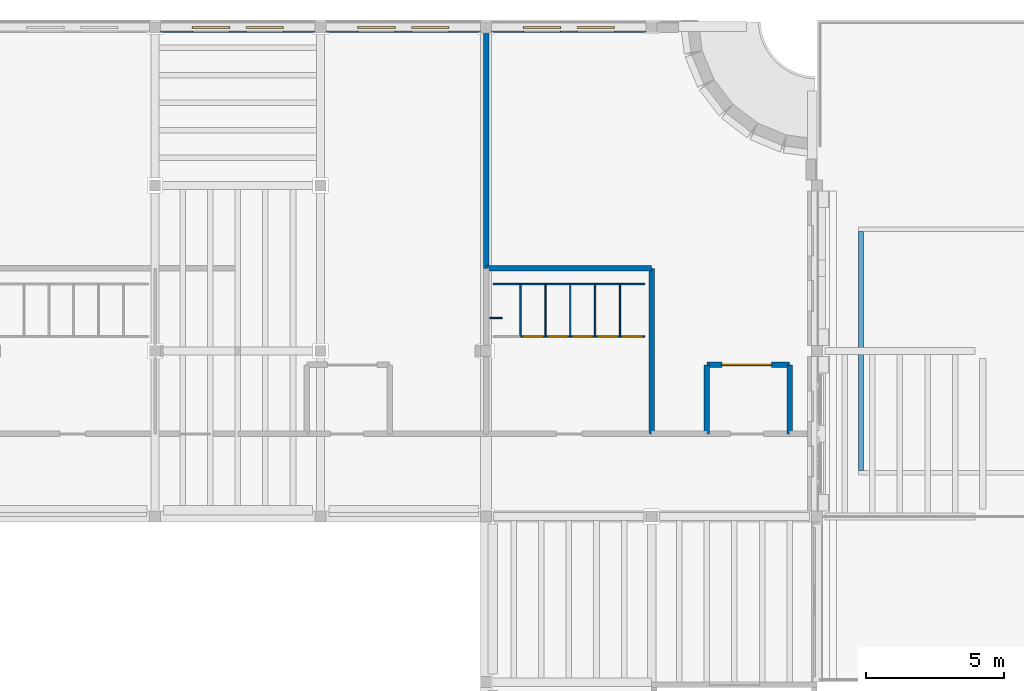
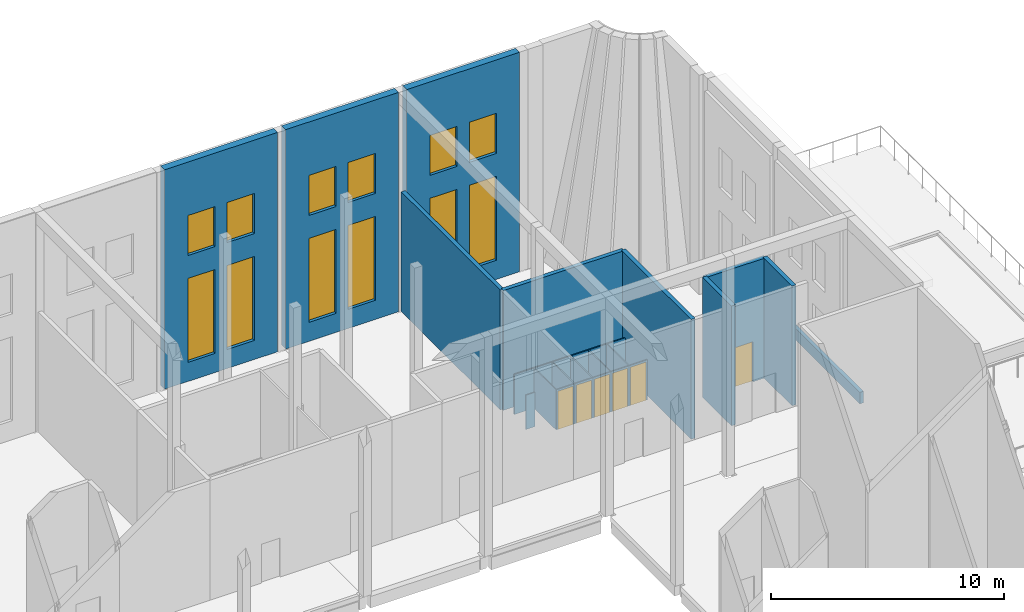
# One storey, part 68 of 118: 22 walls, 12 windows, 6 doors, 18 openings.
"""IFC4 building model written with IfcOpenShell, lengths in metres."""

from ifc_helpers import new_model, si_unit, direction, frame, frame_2d, origin, place, context, subcontext, project, spatial, rectangle, extrude, material, layer, layer_set, type_object, element, fill, save


model = new_model("IFC4")

# Units and contexts
model_context = context("Model", 3, precision=1e-05, world=origin(), true_north=direction((0.0, 1.0)))
body_context = subcontext(model_context, "Body", "Model", "MODEL_VIEW")
ifc_project = project(units=[si_unit("LENGTHUNIT", "METRE"), si_unit("AREAUNIT", "SQUARE_METRE"), si_unit("VOLUMEUNIT", "CUBIC_METRE"), si_unit("PLANEANGLEUNIT", "RADIAN"), si_unit("MASSUNIT", "GRAM", prefix="KILO")], contexts=[model_context])

# Site, building, storey
site_placement = place(None, origin())
site = spatial("IfcSite", under=ifc_project, at=site_placement, CompositionType="ELEMENT")
building_placement = place(site_placement, origin())
building = spatial("IfcBuilding", under=site, at=building_placement, Name="Saffron Lane Theatres", CompositionType="ELEMENT")
storey_placement = place(building_placement, frame((0.0, 0.0, 16.5)))
storey = spatial("IfcBuildingStorey", under=building, at=storey_placement, Name="L03", CompositionType="ELEMENT", Elevation=16.5)

# Wall, openings, windows
ifc_material_1 = material(Name="Masonry pale clay brick (20 MPa)", Category="masonry")
ifc_layer_1 = layer(ifc_material_1, 0.35009765625)
ifc_layer_set_1 = layer_set([ifc_layer_1], Name="Masonry pale clay brick (20 MPa)")
wall_type_1 = type_object("IfcWallType", Name="EX-WALL BRICK BEARING 350", PredefinedType="SOLIDWALL", material=ifc_layer_set_1)
wall_1_placement = place(storey_placement, frame((30.199951171875, 125.72509765625, 0.0), z_axis=(0.0, 0.0, 1.0), x_axis=(1.0, 0.0, 0.0)))
wall_1 = element("IfcWall", 1, at=wall_1_placement, inside=storey, type_object=wall_type_1, Name="External wall L03 05", PredefinedType="SOLIDWALL", context=body_context, shape_type="SweptSolid", body=[
    extrude(rectangle(XDim=5.60009765625, YDim=0.35009765625, at=frame_2d((2.800048828125, 0.0))), origin(), (0.0, 0.0, 1.0), 11.5),
])
opening_1_placement = place(wall_1_placement, frame((1.14990234375, 0.0, 1.0)))
opening_1 = element("IfcOpeningElement", 2, at=opening_1_placement, cuts=wall_1, Name="Opening WN03-009", PredefinedType="OPENING", context=body_context, shape_type="SweptSolid", body=[
    extrude(rectangle(XDim=1.35009765625, YDim=4.39990234375, at=frame_2d((0.675048828125, 2.199951171875))), frame((0.0, 0.18505859375, 0.0), z_axis=(0.0, -1.0, 0.0), x_axis=(1.0, 0.0, 0.0)), (0.0, 0.0, 1.0), 0.3701171875),
])
opening_2_placement = place(wall_1_placement, frame((3.10009765625, 0.0, 1.0)))
opening_2 = element("IfcOpeningElement", 3, at=opening_2_placement, cuts=wall_1, Name="Opening WN03-010", PredefinedType="OPENING", context=body_context, shape_type="SweptSolid", body=[
    extrude(rectangle(XDim=1.35009765625, YDim=4.39990234375, at=frame_2d((0.675048828125, 2.199951171875))), frame((0.0, 0.18505859375, 0.0), z_axis=(0.0, -1.0, 0.0), x_axis=(1.0, 0.0, 0.0)), (0.0, 0.0, 1.0), 0.3701171875),
])
opening_3_placement = place(wall_1_placement, frame((1.14990234375, 0.0, 6.60009765625)))
opening_3 = element("IfcOpeningElement", 4, at=opening_3_placement, cuts=wall_1, Name="Opening WN03-011", PredefinedType="OPENING", context=body_context, shape_type="SweptSolid", body=[
    extrude(rectangle(XDim=1.35009765625, YDim=2.10009765625, at=frame_2d((0.675048828125, 1.050048828125))), frame((0.0, 0.18505859375, 0.0), z_axis=(0.0, -1.0, 0.0), x_axis=(1.0, 0.0, 0.0)), (0.0, 0.0, 1.0), 0.3701171875),
])
opening_4_placement = place(wall_1_placement, frame((3.10009765625, 0.0, 6.60009765625)))
opening_4 = element("IfcOpeningElement", 5, at=opening_4_placement, cuts=wall_1, Name="Opening WN03-012", PredefinedType="OPENING", context=body_context, shape_type="SweptSolid", body=[
    extrude(rectangle(XDim=1.35009765625, YDim=2.10009765625, at=frame_2d((0.675048828125, 1.050048828125))), frame((0.0, 0.18505859375, 0.0), z_axis=(0.0, -1.0, 0.0), x_axis=(1.0, 0.0, 0.0)), (0.0, 0.0, 1.0), 0.3701171875),
])
ifc_material_2 = material(Name="Aluminium", Category="aluminium")
window_type_1 = type_object("IfcWindowType", Name="EX-WINDOW 1350x2100", PartitioningType="SINGLE_PANEL", PredefinedType="WINDOW", material=ifc_material_2)
window_1_placement = place(opening_3_placement, origin())
window_1 = element("IfcWindow", 6, at=window_1_placement, inside=storey, type_object=window_type_1, Name="Window L03 011", OverallHeight=2.10009765625, OverallWidth=1.35009765625, PartitioningType="SINGLE_PANEL", PredefinedType="WINDOW", context=body_context, shape_type="SweptSolid", body=[
    extrude(rectangle(XDim=1.35009765625, YDim=2.10009765625, at=frame_2d((0.675048828125, 1.050048828125))), frame((0.0, 0.030029296875, 0.0), z_axis=(0.0, -1.0, 0.0), x_axis=(1.0, 0.0, 0.0)), (0.0, 0.0, 1.0), 0.06005859375),
])
fill(opening_3, window_1)
window_2_placement = place(opening_4_placement, origin())
window_2 = element("IfcWindow", 7, at=window_2_placement, inside=storey, type_object=window_type_1, Name="Window L03 012", OverallHeight=2.10009765625, OverallWidth=1.35009765625, PartitioningType="SINGLE_PANEL", PredefinedType="WINDOW", context=body_context, shape_type="SweptSolid", body=[
    extrude(rectangle(XDim=1.35009765625, YDim=2.10009765625, at=frame_2d((0.675048828125, 1.050048828125))), frame((0.0, 0.030029296875, 0.0), z_axis=(0.0, -1.0, 0.0), x_axis=(1.0, 0.0, 0.0)), (0.0, 0.0, 1.0), 0.06005859375),
])
fill(opening_4, window_2)
ifc_material_3 = material(Name="Aluminium", Category="aluminium")
window_type_2 = type_object("IfcWindowType", Name="EX-WINDOW 1350x4400", PartitioningType="SINGLE_PANEL", PredefinedType="WINDOW", material=ifc_material_3)
window_3_placement = place(opening_1_placement, origin())
window_3 = element("IfcWindow", 8, at=window_3_placement, inside=storey, type_object=window_type_2, Name="Window L03 009", OverallHeight=4.39990234375, OverallWidth=1.35009765625, PartitioningType="SINGLE_PANEL", PredefinedType="WINDOW", context=body_context, shape_type="SweptSolid", body=[
    extrude(rectangle(XDim=1.35009765625, YDim=4.39990234375, at=frame_2d((0.675048828125, 2.199951171875))), frame((0.0, 0.030029296875, 0.0), z_axis=(0.0, -1.0, 0.0), x_axis=(1.0, 0.0, 0.0)), (0.0, 0.0, 1.0), 0.06005859375),
])
fill(opening_1, window_3)
window_4_placement = place(opening_2_placement, origin())
window_4 = element("IfcWindow", 9, at=window_4_placement, inside=storey, type_object=window_type_2, Name="Window L03 010", OverallHeight=4.39990234375, OverallWidth=1.35009765625, PartitioningType="SINGLE_PANEL", PredefinedType="WINDOW", context=body_context, shape_type="SweptSolid", body=[
    extrude(rectangle(XDim=1.35009765625, YDim=4.39990234375, at=frame_2d((0.675048828125, 2.199951171875))), frame((0.0, 0.030029296875, 0.0), z_axis=(0.0, -1.0, 0.0), x_axis=(1.0, 0.0, 0.0)), (0.0, 0.0, 1.0), 0.06005859375),
])
fill(opening_2, window_4)

wall_2_placement = place(storey_placement, frame((36.199951171875, 125.72509765625, 0.0), z_axis=(0.0, 0.0, 1.0), x_axis=(1.0, 0.0, 0.0)))
wall_2 = element("IfcWall", 10, at=wall_2_placement, inside=storey, type_object=wall_type_1, Name="External wall L03 06", PredefinedType="SOLIDWALL", context=body_context, shape_type="SweptSolid", body=[
    extrude(rectangle(XDim=5.60009765625, YDim=0.35009765625, at=frame_2d((2.800048828125, 0.0))), origin(), (0.0, 0.0, 1.0), 11.5),
])
opening_5_placement = place(wall_2_placement, frame((1.14990234375, 0.0, 1.0)))
opening_5 = element("IfcOpeningElement", 11, at=opening_5_placement, cuts=wall_2, Name="Opening WN03-013", PredefinedType="OPENING", context=body_context, shape_type="SweptSolid", body=[
    extrude(rectangle(XDim=1.35009765625, YDim=4.39990234375, at=frame_2d((0.675048828125, 2.199951171875))), frame((0.0, 0.18505859375, 0.0), z_axis=(0.0, -1.0, 0.0), x_axis=(1.0, 0.0, 0.0)), (0.0, 0.0, 1.0), 0.3701171875),
])
opening_6_placement = place(wall_2_placement, frame((3.10009765625, 0.0, 1.0)))
opening_6 = element("IfcOpeningElement", 12, at=opening_6_placement, cuts=wall_2, Name="Opening WN03-014", PredefinedType="OPENING", context=body_context, shape_type="SweptSolid", body=[
    extrude(rectangle(XDim=1.35009765625, YDim=4.39990234375, at=frame_2d((0.675048828125, 2.199951171875))), frame((0.0, 0.18505859375, 0.0), z_axis=(0.0, -1.0, 0.0), x_axis=(1.0, 0.0, 0.0)), (0.0, 0.0, 1.0), 0.3701171875),
])
opening_7_placement = place(wall_2_placement, frame((1.14990234375, 0.0, 6.60009765625)))
opening_7 = element("IfcOpeningElement", 13, at=opening_7_placement, cuts=wall_2, Name="Opening WN03-015", PredefinedType="OPENING", context=body_context, shape_type="SweptSolid", body=[
    extrude(rectangle(XDim=1.35009765625, YDim=2.10009765625, at=frame_2d((0.675048828125, 1.050048828125))), frame((0.0, 0.18505859375, 0.0), z_axis=(0.0, -1.0, 0.0), x_axis=(1.0, 0.0, 0.0)), (0.0, 0.0, 1.0), 0.3701171875),
])
opening_8_placement = place(wall_2_placement, frame((3.10009765625, 0.0, 6.60009765625)))
opening_8 = element("IfcOpeningElement", 14, at=opening_8_placement, cuts=wall_2, Name="Opening WN03-016", PredefinedType="OPENING", context=body_context, shape_type="SweptSolid", body=[
    extrude(rectangle(XDim=1.35009765625, YDim=2.10009765625, at=frame_2d((0.675048828125, 1.050048828125))), frame((0.0, 0.18505859375, 0.0), z_axis=(0.0, -1.0, 0.0), x_axis=(1.0, 0.0, 0.0)), (0.0, 0.0, 1.0), 0.3701171875),
])
window_5_placement = place(opening_7_placement, origin())
window_5 = element("IfcWindow", 15, at=window_5_placement, inside=storey, type_object=window_type_1, Name="Window L03 015", OverallHeight=2.10009765625, OverallWidth=1.35009765625, PartitioningType="SINGLE_PANEL", PredefinedType="WINDOW", context=body_context, shape_type="SweptSolid", body=[
    extrude(rectangle(XDim=1.35009765625, YDim=2.10009765625, at=frame_2d((0.675048828125, 1.050048828125))), frame((0.0, 0.030029296875, 0.0), z_axis=(0.0, -1.0, 0.0), x_axis=(1.0, 0.0, 0.0)), (0.0, 0.0, 1.0), 0.06005859375),
])
fill(opening_7, window_5)
window_6_placement = place(opening_8_placement, origin())
window_6 = element("IfcWindow", 16, at=window_6_placement, inside=storey, type_object=window_type_1, Name="Window L03 016", OverallHeight=2.10009765625, OverallWidth=1.35009765625, PartitioningType="SINGLE_PANEL", PredefinedType="WINDOW", context=body_context, shape_type="SweptSolid", body=[
    extrude(rectangle(XDim=1.35009765625, YDim=2.10009765625, at=frame_2d((0.675048828125, 1.050048828125))), frame((0.0, 0.030029296875, 0.0), z_axis=(0.0, -1.0, 0.0), x_axis=(1.0, 0.0, 0.0)), (0.0, 0.0, 1.0), 0.06005859375),
])
fill(opening_8, window_6)
window_7_placement = place(opening_5_placement, origin())
window_7 = element("IfcWindow", 17, at=window_7_placement, inside=storey, type_object=window_type_2, Name="Window L03 013", OverallHeight=4.39990234375, OverallWidth=1.35009765625, PartitioningType="SINGLE_PANEL", PredefinedType="WINDOW", context=body_context, shape_type="SweptSolid", body=[
    extrude(rectangle(XDim=1.35009765625, YDim=4.39990234375, at=frame_2d((0.675048828125, 2.199951171875))), frame((0.0, 0.030029296875, 0.0), z_axis=(0.0, -1.0, 0.0), x_axis=(1.0, 0.0, 0.0)), (0.0, 0.0, 1.0), 0.06005859375),
])
fill(opening_5, window_7)
window_8_placement = place(opening_6_placement, origin())
window_8 = element("IfcWindow", 18, at=window_8_placement, inside=storey, type_object=window_type_2, Name="Window L03 014", OverallHeight=4.39990234375, OverallWidth=1.35009765625, PartitioningType="SINGLE_PANEL", PredefinedType="WINDOW", context=body_context, shape_type="SweptSolid", body=[
    extrude(rectangle(XDim=1.35009765625, YDim=4.39990234375, at=frame_2d((0.675048828125, 2.199951171875))), frame((0.0, 0.030029296875, 0.0), z_axis=(0.0, -1.0, 0.0), x_axis=(1.0, 0.0, 0.0)), (0.0, 0.0, 1.0), 0.06005859375),
])
fill(opening_6, window_8)

wall_3_placement = place(storey_placement, frame((42.199951171875, 125.72509765625, 0.0), z_axis=(0.0, 0.0, 1.0), x_axis=(1.0, 0.0, 0.0)))
wall_3 = element("IfcWall", 19, at=wall_3_placement, inside=storey, type_object=wall_type_1, Name="External wall L03 07", PredefinedType="SOLIDWALL", context=body_context, shape_type="SweptSolid", body=[
    extrude(rectangle(XDim=5.60009765625, YDim=0.35009765625, at=frame_2d((2.800048828125, 0.0))), origin(), (0.0, 0.0, 1.0), 11.5),
])
opening_9_placement = place(wall_3_placement, frame((1.14990234375, 0.0, 1.0)))
opening_9 = element("IfcOpeningElement", 20, at=opening_9_placement, cuts=wall_3, Name="Opening WN03-017", PredefinedType="OPENING", context=body_context, shape_type="SweptSolid", body=[
    extrude(rectangle(XDim=1.35009765625, YDim=4.39990234375, at=frame_2d((0.675048828125, 2.199951171875))), frame((0.0, 0.18505859375, 0.0), z_axis=(0.0, -1.0, 0.0), x_axis=(1.0, 0.0, 0.0)), (0.0, 0.0, 1.0), 0.3701171875),
])
opening_10_placement = place(wall_3_placement, frame((3.10009765625, 0.0, 1.0)))
opening_10 = element("IfcOpeningElement", 21, at=opening_10_placement, cuts=wall_3, Name="Opening WN03-018", PredefinedType="OPENING", context=body_context, shape_type="SweptSolid", body=[
    extrude(rectangle(XDim=1.35009765625, YDim=4.39990234375, at=frame_2d((0.675048828125, 2.199951171875))), frame((0.0, 0.18505859375, 0.0), z_axis=(0.0, -1.0, 0.0), x_axis=(1.0, 0.0, 0.0)), (0.0, 0.0, 1.0), 0.3701171875),
])
opening_11_placement = place(wall_3_placement, frame((1.14990234375, 0.0, 6.60009765625)))
opening_11 = element("IfcOpeningElement", 22, at=opening_11_placement, cuts=wall_3, Name="Opening WN03-019", PredefinedType="OPENING", context=body_context, shape_type="SweptSolid", body=[
    extrude(rectangle(XDim=1.35009765625, YDim=2.10009765625, at=frame_2d((0.675048828125, 1.050048828125))), frame((0.0, 0.18505859375, 0.0), z_axis=(0.0, -1.0, 0.0), x_axis=(1.0, 0.0, 0.0)), (0.0, 0.0, 1.0), 0.3701171875),
])
opening_12_placement = place(wall_3_placement, frame((3.10009765625, 0.0, 6.60009765625)))
opening_12 = element("IfcOpeningElement", 23, at=opening_12_placement, cuts=wall_3, Name="Opening WN03-020", PredefinedType="OPENING", context=body_context, shape_type="SweptSolid", body=[
    extrude(rectangle(XDim=1.35009765625, YDim=2.10009765625, at=frame_2d((0.675048828125, 1.050048828125))), frame((0.0, 0.18505859375, 0.0), z_axis=(0.0, -1.0, 0.0), x_axis=(1.0, 0.0, 0.0)), (0.0, 0.0, 1.0), 0.3701171875),
])
window_9_placement = place(opening_11_placement, origin())
window_9 = element("IfcWindow", 24, at=window_9_placement, inside=storey, type_object=window_type_1, Name="Window L03 019", OverallHeight=2.10009765625, OverallWidth=1.35009765625, PartitioningType="SINGLE_PANEL", PredefinedType="WINDOW", context=body_context, shape_type="SweptSolid", body=[
    extrude(rectangle(XDim=1.35009765625, YDim=2.10009765625, at=frame_2d((0.675048828125, 1.050048828125))), frame((0.0, 0.030029296875, 0.0), z_axis=(0.0, -1.0, 0.0), x_axis=(1.0, 0.0, 0.0)), (0.0, 0.0, 1.0), 0.06005859375),
])
fill(opening_11, window_9)
window_10_placement = place(opening_12_placement, origin())
window_10 = element("IfcWindow", 25, at=window_10_placement, inside=storey, type_object=window_type_1, Name="Window L03 020", OverallHeight=2.10009765625, OverallWidth=1.35009765625, PartitioningType="SINGLE_PANEL", PredefinedType="WINDOW", context=body_context, shape_type="SweptSolid", body=[
    extrude(rectangle(XDim=1.35009765625, YDim=2.10009765625, at=frame_2d((0.675048828125, 1.050048828125))), frame((0.0, 0.030029296875, 0.0), z_axis=(0.0, -1.0, 0.0), x_axis=(1.0, 0.0, 0.0)), (0.0, 0.0, 1.0), 0.06005859375),
])
fill(opening_12, window_10)
window_11_placement = place(opening_9_placement, origin())
window_11 = element("IfcWindow", 26, at=window_11_placement, inside=storey, type_object=window_type_2, Name="Window L03 017", OverallHeight=4.39990234375, OverallWidth=1.35009765625, PartitioningType="SINGLE_PANEL", PredefinedType="WINDOW", context=body_context, shape_type="SweptSolid", body=[
    extrude(rectangle(XDim=1.35009765625, YDim=4.39990234375, at=frame_2d((0.675048828125, 2.199951171875))), frame((0.0, 0.030029296875, 0.0), z_axis=(0.0, -1.0, 0.0), x_axis=(1.0, 0.0, 0.0)), (0.0, 0.0, 1.0), 0.06005859375),
])
fill(opening_9, window_11)
window_12_placement = place(opening_10_placement, origin())
window_12 = element("IfcWindow", 27, at=window_12_placement, inside=storey, type_object=window_type_2, Name="Window L03 018", OverallHeight=4.39990234375, OverallWidth=1.35009765625, PartitioningType="SINGLE_PANEL", PredefinedType="WINDOW", context=body_context, shape_type="SweptSolid", body=[
    extrude(rectangle(XDim=1.35009765625, YDim=4.39990234375, at=frame_2d((0.675048828125, 2.199951171875))), frame((0.0, 0.030029296875, 0.0), z_axis=(0.0, -1.0, 0.0), x_axis=(1.0, 0.0, 0.0)), (0.0, 0.0, 1.0), 0.06005859375),
])
fill(opening_10, window_12)

# Walls
ifc_material_4 = material(Name="Acoustic double stud partition")
ifc_layer_2 = layer(ifc_material_4, 0.199951171875)
ifc_layer_set_2 = layer_set([ifc_layer_2], Name="Acoustic double stud partition")
wall_type_2 = type_object("IfcWallType", Name="IN-ACOUSTIC PARTITION 200", PredefinedType="PARTITIONING", material=ifc_layer_set_2)
for number, where, z_axis, x_axis, name in (
    (28, (42.0, 117.0, 0.0), (0.0, 0.0, 1.0), (1.0, 0.0, 0.0), "PW-L03-024"),
    (29, (48.0, 111.0, 0.0), (0.0, 0.0, 1.0), (0.0, 1.0, 0.0), "PW-L03-025"),
):
    element("IfcWall", number, at=place(storey_placement, frame(where, z_axis=z_axis, x_axis=x_axis)), inside=storey, type_object=wall_type_2, Name=name, PredefinedType="PARTITIONING", context=body_context, shape_type="SweptSolid", body=[
        extrude(rectangle(XDim=6.0, YDim=0.199951171875, at=frame_2d((3.0, 0.0))), origin(), (0.0, 0.0, 1.0), 6.280029296875),
    ])
wall_4_placement = place(storey_placement, frame((42.0, 117.0, 0.0), z_axis=(0.0, 0.0, 1.0), x_axis=(0.0, 1.0, 0.0)))
element("IfcWall", 30, at=wall_4_placement, inside=storey, type_object=wall_type_2, Name="PW-L03-026", PredefinedType="PARTITIONING", context=body_context, shape_type="SweptSolid", body=[
    extrude(rectangle(XDim=8.50439453125, YDim=0.199951171875, at=frame_2d((4.252197265625, 0.0))), origin(), (0.0, 0.0, 1.0), 6.280029296875),
])
wall_5_placement = place(storey_placement, frame((50.0, 111.0, 0.0), z_axis=(0.0, 0.0, 1.0), x_axis=(0.0, 1.0, 0.0)))
element("IfcWall", 31, at=wall_5_placement, inside=storey, type_object=wall_type_2, Name="PW-L03-029", PredefinedType="PARTITIONING", context=body_context, shape_type="SweptSolid", body=[
    extrude(rectangle(XDim=2.5, YDim=0.199951171875, at=frame_2d((1.25, 0.0))), origin(), (0.0, 0.0, 1.0), 6.280029296875),
])

# Wall, opening, door
wall_6_placement = place(storey_placement, frame((50.0, 113.5, 0.0), z_axis=(0.0, 0.0, 1.0), x_axis=(1.0, 0.0, 0.0)))
wall_6 = element("IfcWall", 32, at=wall_6_placement, inside=storey, type_object=wall_type_2, Name="PW-L03-030", PredefinedType="PARTITIONING", context=body_context, shape_type="SweptSolid", body=[
    extrude(rectangle(XDim=3.0, YDim=0.199951171875, at=frame_2d((1.5, 0.0))), origin(), (0.0, 0.0, 1.0), 6.280029296875),
])
opening_13_placement = place(wall_6_placement, frame((0.550048828125, 0.0, 0.0)))
opening_13 = element("IfcOpeningElement", 33, at=opening_13_placement, cuts=wall_6, Name="Opening D03-09", PredefinedType="OPENING", context=body_context, shape_type="SweptSolid", body=[
    extrude(rectangle(XDim=1.800048828125, YDim=2.10009765625, at=frame_2d((0.89990234375, 1.050048828125))), frame((0.0, 0.10986328125, 0.0), z_axis=(0.0, -1.0, 0.0), x_axis=(1.0, 0.0, 0.0)), (0.0, 0.0, 1.0), 0.219970703125),
])
ifc_material_5 = material(Name="Steel faced fire door leaf", Category="steel")
door_type_1 = type_object("IfcDoorType", Name="IN-DOOR 1800x2100 FD60", OperationType="DOUBLE_DOOR_SINGLE_SWING", PredefinedType="DOOR", material=ifc_material_5)
door_1_placement = place(opening_13_placement, frame((1.800048828125, 0.0, 0.0), z_axis=(0.0, 0.0, 1.0), x_axis=(-1.0, 0.0, 0.0)))
door_1 = element("IfcDoor", 34, at=door_1_placement, inside=storey, type_object=door_type_1, Name="D03-09", OperationType="DOUBLE_DOOR_SINGLE_SWING", OverallHeight=2.10009765625, OverallWidth=1.800048828125, PredefinedType="DOOR", context=body_context, shape_type="SweptSolid", body=[
    extrude(rectangle(XDim=1.800048828125, YDim=2.10009765625, at=frame_2d((0.89990234375, 1.050048828125))), frame((0.0, 0.02490234375, 0.0), z_axis=(0.0, -1.0, 0.0), x_axis=(1.0, 0.0, 0.0)), (0.0, 0.0, 1.0), 0.050048828125),
])
fill(opening_13, door_1)

# Walls
wall_7_placement = place(storey_placement, frame((53.0, 111.0, 0.0), z_axis=(0.0, 0.0, 1.0), x_axis=(0.0, 1.0, 0.0)))
element("IfcWall", 35, at=wall_7_placement, inside=storey, type_object=wall_type_2, Name="PW-L03-031", PredefinedType="PARTITIONING", context=body_context, shape_type="SweptSolid", body=[
    extrude(rectangle(XDim=2.5, YDim=0.199951171875, at=frame_2d((1.25, 0.0))), origin(), (0.0, 0.0, 1.0), 6.280029296875),
])
ifc_material_6 = material(Name="Laminate cubicle panel")
ifc_layer_3 = layer(ifc_material_6, 0.050048828125)
ifc_layer_set_3 = layer_set([ifc_layer_3], Name="Laminate cubicle panel")
wall_type_3 = type_object("IfcWallType", Name="IN-CUBICLE PANEL 050", PredefinedType="PARTITIONING", material=ifc_layer_set_3)
for number, where, z_axis, x_axis, name in (
    (36, (43.25, 114.52490234375, 0.0), (0.0, 0.0, 1.0), (0.0, 1.0, 0.0), "PW-L03-065"),
    (37, (44.14990234375, 114.52490234375, 0.0), (0.0, 0.0, 1.0), (0.0, 1.0, 0.0), "PW-L03-066"),
    (38, (45.050048828125, 114.52490234375, 0.0), (0.0, 0.0, 1.0), (0.0, 1.0, 0.0), "PW-L03-067"),
    (39, (45.949951171875, 114.52490234375, 0.0), (0.0, 0.0, 1.0), (0.0, 1.0, 0.0), "PW-L03-068"),
    (40, (46.85009765625, 114.52490234375, 0.0), (0.0, 0.0, 1.0), (0.0, 1.0, 0.0), "PW-L03-069"),
):
    element("IfcWall", number, at=place(storey_placement, frame(where, z_axis=z_axis, x_axis=x_axis)), inside=storey, type_object=wall_type_3, Name=name, PredefinedType="PARTITIONING", context=body_context, shape_type="SweptSolid", body=[
        extrude(rectangle(XDim=1.900146484375, YDim=0.050048828125, at=frame_2d((0.9501953125, 0.0))), origin(), (0.0, 0.0, 1.0), 2.10009765625),
    ])

# Wall, opening, door
wall_8_placement = place(storey_placement, frame((43.25, 114.52490234375, 0.0), z_axis=(0.0, 0.0, 1.0), x_axis=(1.0, 0.0, 0.0)))
wall_8 = element("IfcWall", 41, at=wall_8_placement, inside=storey, type_object=wall_type_3, Name="PW-L03-071", PredefinedType="PARTITIONING", context=body_context, shape_type="SweptSolid", body=[
    extrude(rectangle(XDim=0.89990234375, YDim=0.050048828125, at=frame_2d((0.449951171875, 0.0))), origin(), (0.0, 0.0, 1.0), 2.10009765625),
])
opening_14_placement = place(wall_8_placement, frame((0.074951171875, 0.0, 0.0)))
opening_14 = element("IfcOpeningElement", 42, at=opening_14_placement, cuts=wall_8, Name="Opening D03-39", PredefinedType="OPENING", context=body_context, shape_type="SweptSolid", body=[
    extrude(rectangle(XDim=0.75, YDim=2.0, at=frame_2d((0.375, 1.0))), frame((0.0, 0.03515625, 0.0), z_axis=(0.0, -1.0, 0.0), x_axis=(1.0, 0.0, 0.0)), (0.0, 0.0, 1.0), 0.070068359375),
])
ifc_material_7 = material(Name="Timber door leaf", Category="wood")
door_type_2 = type_object("IfcDoorType", Name="IN-DOOR 750x2000", OperationType="NOTDEFINED", PredefinedType="DOOR", material=ifc_material_7)
door_2_placement = place(opening_14_placement, origin())
door_2 = element("IfcDoor", 43, at=door_2_placement, inside=storey, type_object=door_type_2, Name="D03-39", OperationType="SINGLE_SWING_RIGHT", OverallHeight=2.0, OverallWidth=0.75, PredefinedType="DOOR", context=body_context, shape_type="SweptSolid", body=[
    extrude(rectangle(XDim=0.75, YDim=2.0, at=frame_2d((0.375, 1.0))), frame((0.0, 0.02490234375, 0.0), z_axis=(0.0, -1.0, 0.0), x_axis=(1.0, 0.0, 0.0)), (0.0, 0.0, 1.0), 0.049560546875),
])
fill(opening_14, door_2)

wall_9_placement = place(storey_placement, frame((44.14990234375, 114.52490234375, 0.0), z_axis=(0.0, 0.0, 1.0), x_axis=(1.0, 0.0, 0.0)))
wall_9 = element("IfcWall", 44, at=wall_9_placement, inside=storey, type_object=wall_type_3, Name="PW-L03-072", PredefinedType="PARTITIONING", context=body_context, shape_type="SweptSolid", body=[
    extrude(rectangle(XDim=0.900146484375, YDim=0.050048828125, at=frame_2d((0.4501953125, 0.0))), origin(), (0.0, 0.0, 1.0), 2.10009765625),
])
opening_15_placement = place(wall_9_placement, frame((0.074951171875, 0.0, 0.0)))
opening_15 = element("IfcOpeningElement", 45, at=opening_15_placement, cuts=wall_9, Name="Opening D03-40", PredefinedType="OPENING", context=body_context, shape_type="SweptSolid", body=[
    extrude(rectangle(XDim=0.75, YDim=2.0, at=frame_2d((0.375, 1.0))), frame((0.0, 0.03515625, 0.0), z_axis=(0.0, -1.0, 0.0), x_axis=(1.0, 0.0, 0.0)), (0.0, 0.0, 1.0), 0.070068359375),
])
door_3_placement = place(opening_15_placement, origin())
door_3 = element("IfcDoor", 46, at=door_3_placement, inside=storey, type_object=door_type_2, Name="D03-40", OperationType="SINGLE_SWING_LEFT", OverallHeight=2.0, OverallWidth=0.75, PredefinedType="DOOR", context=body_context, shape_type="SweptSolid", body=[
    extrude(rectangle(XDim=0.75, YDim=2.0, at=frame_2d((0.375, 1.0))), frame((0.0, 0.02490234375, 0.0), z_axis=(0.0, -1.0, 0.0), x_axis=(1.0, 0.0, 0.0)), (0.0, 0.0, 1.0), 0.049560546875),
])
fill(opening_15, door_3)

wall_10_placement = place(storey_placement, frame((45.050048828125, 114.52490234375, 0.0), z_axis=(0.0, 0.0, 1.0), x_axis=(1.0, 0.0, 0.0)))
wall_10 = element("IfcWall", 47, at=wall_10_placement, inside=storey, type_object=wall_type_3, Name="PW-L03-073", PredefinedType="PARTITIONING", context=body_context, shape_type="SweptSolid", body=[
    extrude(rectangle(XDim=0.89990234375, YDim=0.050048828125, at=frame_2d((0.449951171875, 0.0))), origin(), (0.0, 0.0, 1.0), 2.10009765625),
])
opening_16_placement = place(wall_10_placement, frame((0.074951171875, 0.0, 0.0)))
opening_16 = element("IfcOpeningElement", 48, at=opening_16_placement, cuts=wall_10, Name="Opening D03-41", PredefinedType="OPENING", context=body_context, shape_type="SweptSolid", body=[
    extrude(rectangle(XDim=0.75, YDim=2.0, at=frame_2d((0.375, 1.0))), frame((0.0, 0.03515625, 0.0), z_axis=(0.0, -1.0, 0.0), x_axis=(1.0, 0.0, 0.0)), (0.0, 0.0, 1.0), 0.070068359375),
])
door_4_placement = place(opening_16_placement, origin())
door_4 = element("IfcDoor", 49, at=door_4_placement, inside=storey, type_object=door_type_2, Name="D03-41", OperationType="SINGLE_SWING_RIGHT", OverallHeight=2.0, OverallWidth=0.75, PredefinedType="DOOR", context=body_context, shape_type="SweptSolid", body=[
    extrude(rectangle(XDim=0.75, YDim=2.0, at=frame_2d((0.375, 1.0))), frame((0.0, 0.02490234375, 0.0), z_axis=(0.0, -1.0, 0.0), x_axis=(1.0, 0.0, 0.0)), (0.0, 0.0, 1.0), 0.049560546875),
])
fill(opening_16, door_4)

wall_11_placement = place(storey_placement, frame((45.949951171875, 114.52490234375, 0.0), z_axis=(0.0, 0.0, 1.0), x_axis=(1.0, 0.0, 0.0)))
wall_11 = element("IfcWall", 50, at=wall_11_placement, inside=storey, type_object=wall_type_3, Name="PW-L03-074", PredefinedType="PARTITIONING", context=body_context, shape_type="SweptSolid", body=[
    extrude(rectangle(XDim=0.900146484375, YDim=0.050048828125, at=frame_2d((0.4501953125, 0.0))), origin(), (0.0, 0.0, 1.0), 2.10009765625),
])
opening_17_placement = place(wall_11_placement, frame((0.074951171875, 0.0, 0.0)))
opening_17 = element("IfcOpeningElement", 51, at=opening_17_placement, cuts=wall_11, Name="Opening D03-42", PredefinedType="OPENING", context=body_context, shape_type="SweptSolid", body=[
    extrude(rectangle(XDim=0.75, YDim=2.0, at=frame_2d((0.375, 1.0))), frame((0.0, 0.03515625, 0.0), z_axis=(0.0, -1.0, 0.0), x_axis=(1.0, 0.0, 0.0)), (0.0, 0.0, 1.0), 0.070068359375),
])
door_5_placement = place(opening_17_placement, origin())
door_5 = element("IfcDoor", 52, at=door_5_placement, inside=storey, type_object=door_type_2, Name="D03-42", OperationType="SINGLE_SWING_LEFT", OverallHeight=2.0, OverallWidth=0.75, PredefinedType="DOOR", context=body_context, shape_type="SweptSolid", body=[
    extrude(rectangle(XDim=0.75, YDim=2.0, at=frame_2d((0.375, 1.0))), frame((0.0, 0.02490234375, 0.0), z_axis=(0.0, -1.0, 0.0), x_axis=(1.0, 0.0, 0.0)), (0.0, 0.0, 1.0), 0.049560546875),
])
fill(opening_17, door_5)

wall_12_placement = place(storey_placement, frame((46.85009765625, 114.52490234375, 0.0), z_axis=(0.0, 0.0, 1.0), x_axis=(1.0, 0.0, 0.0)))
wall_12 = element("IfcWall", 53, at=wall_12_placement, inside=storey, type_object=wall_type_3, Name="PW-L03-075", PredefinedType="PARTITIONING", context=body_context, shape_type="SweptSolid", body=[
    extrude(rectangle(XDim=0.89990234375, YDim=0.050048828125, at=frame_2d((0.449951171875, 0.0))), origin(), (0.0, 0.0, 1.0), 2.10009765625),
])
opening_18_placement = place(wall_12_placement, frame((0.074951171875, 0.0, 0.0)))
opening_18 = element("IfcOpeningElement", 54, at=opening_18_placement, cuts=wall_12, Name="Opening D03-43", PredefinedType="OPENING", context=body_context, shape_type="SweptSolid", body=[
    extrude(rectangle(XDim=0.75, YDim=2.0, at=frame_2d((0.375, 1.0))), frame((0.0, 0.03515625, 0.0), z_axis=(0.0, -1.0, 0.0), x_axis=(1.0, 0.0, 0.0)), (0.0, 0.0, 1.0), 0.070068359375),
])
door_6_placement = place(opening_18_placement, origin())
door_6 = element("IfcDoor", 55, at=door_6_placement, inside=storey, type_object=door_type_2, Name="D03-43", OperationType="SINGLE_SWING_RIGHT", OverallHeight=2.0, OverallWidth=0.75, PredefinedType="DOOR", context=body_context, shape_type="SweptSolid", body=[
    extrude(rectangle(XDim=0.75, YDim=2.0, at=frame_2d((0.375, 1.0))), frame((0.0, 0.02490234375, 0.0), z_axis=(0.0, -1.0, 0.0), x_axis=(1.0, 0.0, 0.0)), (0.0, 0.0, 1.0), 0.049560546875),
])
fill(opening_18, door_6)

# Walls
ifc_material_8 = material(Name="Laminate service partition")
ifc_layer_4 = layer(ifc_material_8, 0.06005859375)
ifc_layer_set_4 = layer_set([ifc_layer_4], Name="Laminate service partition")
wall_type_4 = type_object("IfcWallType", Name="IN-SERVICE PARTITION 060", PredefinedType="PARTITIONING", material=ifc_layer_set_4)
wall_13_placement = place(storey_placement, frame((42.25, 116.425048828125, 0.0), z_axis=(0.0, 0.0, 1.0), x_axis=(1.0, 0.0, 0.0)))
element("IfcWall", 56, at=wall_13_placement, inside=storey, type_object=wall_type_4, Name="PW-L03-064", PredefinedType="PARTITIONING", context=body_context, shape_type="SweptSolid", body=[
    extrude(rectangle(XDim=5.5, YDim=0.06005859375, at=frame_2d((2.75, 0.0))), origin(), (0.0, 0.0, 1.0), 2.10009765625),
])
ifc_material_9 = material(Name="Laminate screen panel")
ifc_layer_5 = layer(ifc_material_9, 0.0400390625)
ifc_layer_set_5 = layer_set([ifc_layer_5], Name="Laminate screen panel")
wall_type_5 = type_object("IfcWallType", Name="IN-URINAL SCREEN 040", PredefinedType="PARTITIONING", material=ifc_layer_set_5)
wall_14_placement = place(storey_placement, frame((42.125, 115.199951171875, 0.0), z_axis=(0.0, 0.0, 1.0), x_axis=(1.0, 0.0, 0.0)))
element("IfcWall", 57, at=wall_14_placement, inside=storey, type_object=wall_type_5, Name="PW-L03-076", PredefinedType="PARTITIONING", context=body_context, shape_type="SweptSolid", body=[
    extrude(rectangle(XDim=0.449951171875, YDim=0.0400390625, at=frame_2d((0.22509765625, 0.0))), origin(), (0.0, 0.0, 1.0), 1.800048828125),
])
ifc_material_10 = material(Name="Concrete N50 (50 MPa)", Category="concrete")
ifc_layer_6 = layer(ifc_material_10, 0.175048828125)
ifc_layer_set_6 = layer_set([ifc_layer_6], Name="Concrete N50 (50 MPa)")
wall_type_6 = type_object("IfcWallType", Name="RC-KERB 175", PredefinedType="SOLIDWALL", material=ifc_layer_set_6)
wall_15_placement = place(storey_placement, frame((55.58740234375, 109.675048828125, 0.0), z_axis=(0.0, 0.0, 1.0), x_axis=(0.0, 1.0, 0.0)))
element("IfcWall", 58, at=wall_15_placement, inside=storey, type_object=wall_type_6, Name="W-KERB-E-W-L03", PredefinedType="SOLIDWALL", context=body_context, shape_type="SweptSolid", body=[
    extrude(rectangle(XDim=8.64990234375, YDim=0.175048828125, at=frame_2d((4.324951171875, 0.0))), origin(), (0.0, 0.0, 1.0), 0.60009765625),
])

save(model, "model.ifc")
